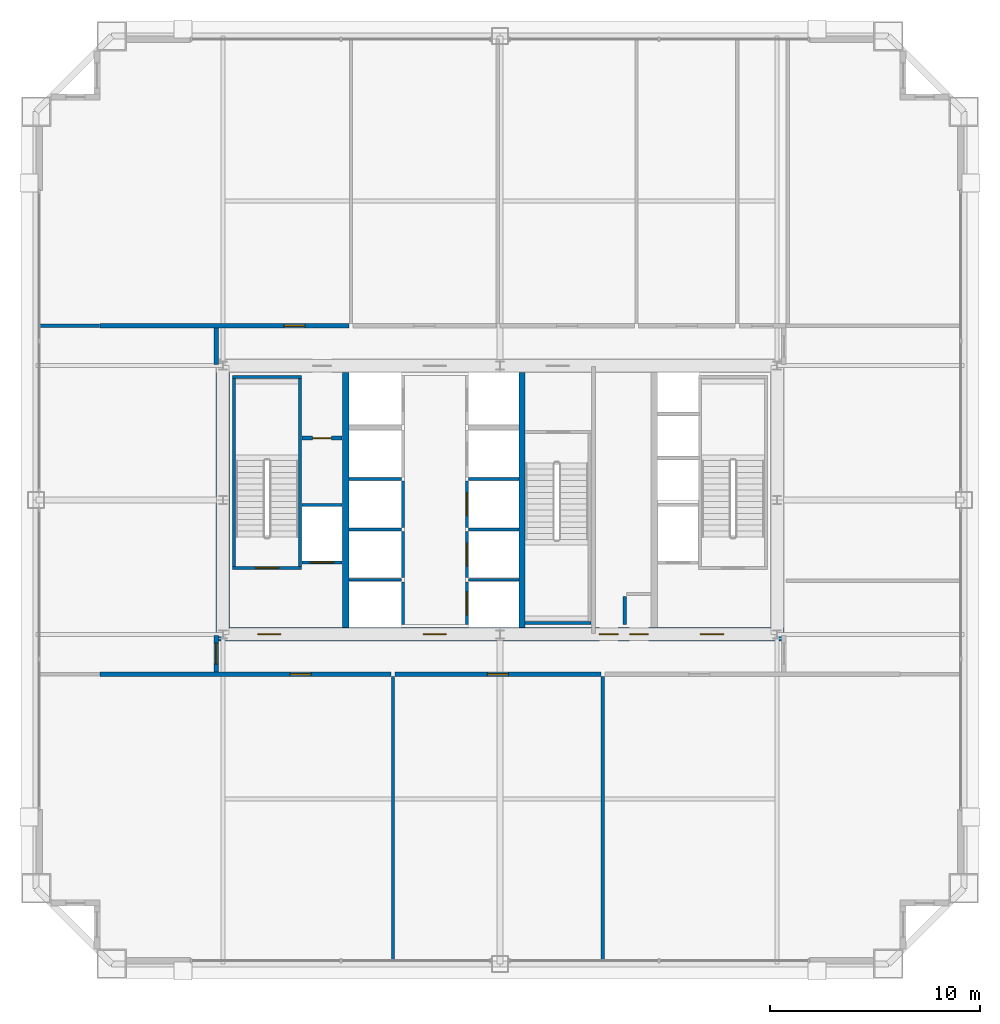
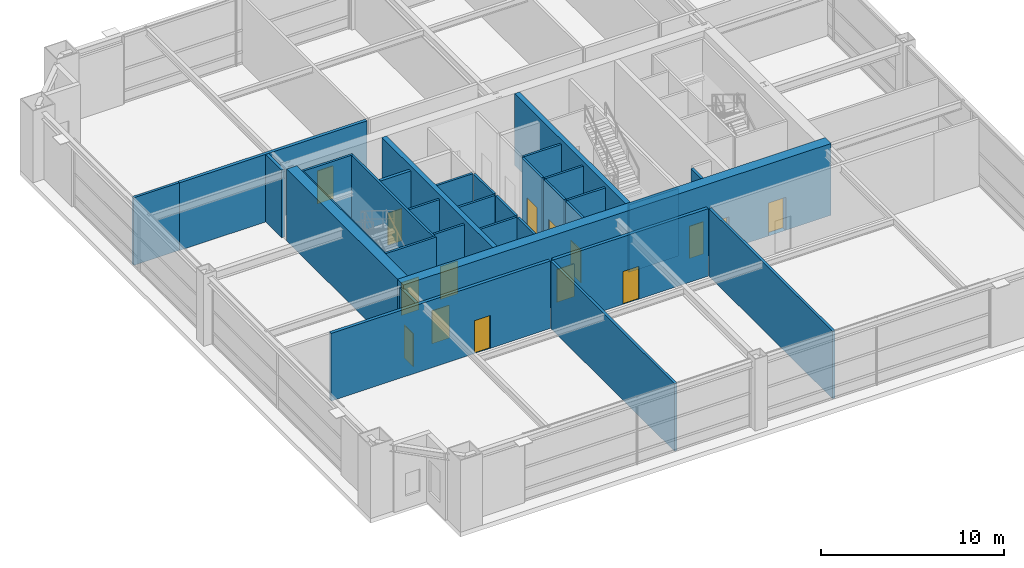
# One storey, part 31 of 34: 33 walls, 15 doors, 15 openings.
"""IFC4 building model written with IfcOpenShell, lengths in metres."""

from ifc_helpers import new_model, si_unit, direction, frame, frame_2d, origin, place, context, subcontext, project, spatial, rectangle, extrude, source, transform, mapped, material, layer, layer_set, type_object, element, fill, save


model = new_model("IFC4")

# Units and contexts
model_context = context("Model", 3, precision=1e-05, world=origin(), true_north=direction((0.0, 1.0)))
body_context = subcontext(model_context, "Body", "Model", "MODEL_VIEW")
ifc_project = project(units=[si_unit("LENGTHUNIT", "METRE"), si_unit("AREAUNIT", "SQUARE_METRE"), si_unit("VOLUMEUNIT", "CUBIC_METRE"), si_unit("PLANEANGLEUNIT", "RADIAN"), si_unit("MASSUNIT", "GRAM", prefix="KILO"), si_unit("THERMODYNAMICTEMPERATUREUNIT", "KELVIN"), si_unit("POWERUNIT", "WATT")], contexts=[model_context])

# Site, building, storey
site_placement = place(None, origin())
site = spatial("IfcSite", under=ifc_project, at=site_placement, CompositionType="ELEMENT")
building_placement = place(site_placement, origin())
building = spatial("IfcBuilding", under=site, at=building_placement, Name="Yuzanri Waterfront Tower", CompositionType="ELEMENT")
storey_placement = place(building_placement, frame((0.0, 0.0, 171.60009765625)))
storey = spatial("IfcBuildingStorey", under=building, at=storey_placement, Name="L45", CompositionType="ELEMENT", Elevation=171.60009765625)

# Wall, openings, doors
ifc_material_1 = material(Name="Concrete C50", Category="concrete")
ifc_layer_1 = layer(ifc_material_1, 0.64990234375)
ifc_layer_set_1 = layer_set([ifc_layer_1], Name="Concrete C50")
wall_type_1 = type_object("IfcWallType", Name="Concrete C50 Mid Zone Core Shear Wall 650", PredefinedType="SHEAR", material=ifc_layer_set_1)
wall_1_placement = place(storey_placement, frame((23.47509765625, 19.39990234375, 0.0), z_axis=(0.0, 0.0, 1.0), x_axis=(1.0, 0.0, 0.0)))
wall_1 = element("IfcWall", 1, at=wall_1_placement, inside=storey, type_object=wall_type_1, Name="L45 Core South Shear Wall", PredefinedType="SHEAR", context=body_context, shape_type="SweptSolid", body=[
    extrude(rectangle(XDim=27.0498046875, YDim=0.64990234375, at=frame_2d((13.52490234375, 0.0))), origin(), (0.0, 0.0, 1.0), 4.7998046875),
])
opening_1_placement = place(wall_1_placement, frame((1.97509765625, 0.0, 0.0)))
opening_1 = element("IfcOpeningElement", 2, at=opening_1_placement, cuts=wall_1, Name="Opening FD-1100", PredefinedType="OPENING", context=body_context, shape_type="SweptSolid", body=[
    extrude(rectangle(XDim=1.10009765625, YDim=2.199951171875, at=frame_2d((0.550048828125, 1.10009765625))), frame((0.0, 0.33984375, 0.0), z_axis=(0.0, -1.0, 0.0), x_axis=(1.0, 0.0, 0.0)), (0.0, 0.0, 1.0), 0.6796875),
])
opening_2_placement = place(wall_1_placement, frame((9.875, 0.0, 0.0)))
opening_2 = element("IfcOpeningElement", 3, at=opening_2_placement, cuts=wall_1, Name="Opening FD-1100", PredefinedType="OPENING", context=body_context, shape_type="SweptSolid", body=[
    extrude(rectangle(XDim=1.10009765625, YDim=2.199951171875, at=frame_2d((0.550048828125, 1.10009765625))), frame((0.0, 0.33984375, 0.0), z_axis=(0.0, -1.0, 0.0), x_axis=(1.0, 0.0, 0.0)), (0.0, 0.0, 1.0), 0.6796875),
])
opening_3_placement = place(wall_1_placement, frame((23.074951171875, 0.0, 0.0)))
opening_3 = element("IfcOpeningElement", 4, at=opening_3_placement, cuts=wall_1, Name="Opening FD-1100", PredefinedType="OPENING", context=body_context, shape_type="SweptSolid", body=[
    extrude(rectangle(XDim=1.10009765625, YDim=2.199951171875, at=frame_2d((0.550048828125, 1.10009765625))), frame((0.0, 0.33984375, 0.0), z_axis=(0.0, -1.0, 0.0), x_axis=(1.0, 0.0, 0.0)), (0.0, 0.0, 1.0), 0.6796875),
])
opening_4_placement = place(wall_1_placement, frame((19.695068359375, 0.0, 0.0)))
opening_4 = element("IfcOpeningElement", 5, at=opening_4_placement, cuts=wall_1, Name="Opening FD-0900", PredefinedType="OPENING", context=body_context, shape_type="SweptSolid", body=[
    extrude(rectangle(XDim=0.89990234375, YDim=2.14990234375, at=frame_2d((0.449951171875, 1.074951171875))), frame((0.0, 0.33984375, 0.0), z_axis=(0.0, -1.0, 0.0), x_axis=(1.0, 0.0, 0.0)), (0.0, 0.0, 1.0), 0.6796875),
])
opening_5_placement = place(wall_1_placement, frame((18.2548828125, 0.0, 0.0)))
opening_5 = element("IfcOpeningElement", 6, at=opening_5_placement, cuts=wall_1, Name="Opening FD-0900", PredefinedType="OPENING", context=body_context, shape_type="SweptSolid", body=[
    extrude(rectangle(XDim=0.89990234375, YDim=2.14990234375, at=frame_2d((0.449951171875, 1.074951171875))), frame((0.0, 0.33984375, 0.0), z_axis=(0.0, -1.0, 0.0), x_axis=(1.0, 0.0, 0.0)), (0.0, 0.0, 1.0), 0.6796875),
])
ifc_material_2 = material(Name="Painted Galvanized Fire Steel", Category="steel")
door_type_1 = type_object("IfcDoorType", Name="Smoke-Proof Stair and Lobby Fire Door 1100x2200", OperationType="NOTDEFINED", PredefinedType="DOOR", material=ifc_material_2)
shared_shape_1 = source(origin(), body_context, "Body", "SweptSolid", [
    extrude(rectangle(XDim=1.10009765625, YDim=2.199951171875, at=frame_2d((0.550048828125, 1.10009765625))), frame((0.0, 0.02490234375, 0.0), z_axis=(0.0, -1.0, 0.0), x_axis=(1.0, 0.0, 0.0)), (0.0, 0.0, 1.0), 0.050048828125),
])
door_1_placement = place(opening_1_placement, origin())
door_1 = element("IfcDoor", 7, at=door_1_placement, inside=storey, type_object=door_type_1, Name="L45 West Firefighting Lobby Door", OperationType="SINGLE_SWING_RIGHT", OverallHeight=2.199951171875, OverallWidth=1.10009765625, PredefinedType="DOOR", context=body_context, shape_type="MappedRepresentation", body=[
    mapped(shared_shape_1, transform((0.0, 0.0, 0.0), scale=1.0)),
])
fill(opening_1, door_1)
door_2_placement = place(opening_2_placement, origin())
door_2 = element("IfcDoor", 8, at=door_2_placement, inside=storey, type_object=door_type_1, Name="L45 Central Lift Lobby South Door", OperationType="SINGLE_SWING_LEFT", OverallHeight=2.199951171875, OverallWidth=1.10009765625, PredefinedType="DOOR", context=body_context, shape_type="MappedRepresentation", body=[
    mapped(shared_shape_1, transform((0.0, 0.0, 0.0), scale=1.0)),
])
fill(opening_2, door_2)
door_3_placement = place(opening_3_placement, origin())
door_3 = element("IfcDoor", 9, at=door_3_placement, inside=storey, type_object=door_type_1, Name="L45 East Firefighting Lobby Door", OperationType="SINGLE_SWING_RIGHT", OverallHeight=2.199951171875, OverallWidth=1.10009765625, PredefinedType="DOOR", context=body_context, shape_type="MappedRepresentation", body=[
    mapped(shared_shape_1, transform((0.0, 0.0, 0.0), scale=1.0)),
])
fill(opening_3, door_3)
ifc_material_3 = material(Name="Painted Galvanized Fire Steel", Category="steel")
door_type_2 = type_object("IfcDoorType", Name="Riser and Service Room Fire Door 900x2150", OperationType="NOTDEFINED", PredefinedType="DOOR", material=ifc_material_3)
shared_shape_2 = source(origin(), body_context, "Body", "SweptSolid", [
    extrude(rectangle(XDim=0.89990234375, YDim=2.14990234375, at=frame_2d((0.449951171875, 1.074951171875))), frame((0.0, 0.02490234375, 0.0), z_axis=(0.0, -1.0, 0.0), x_axis=(1.0, 0.0, 0.0)), (0.0, 0.0, 1.0), 0.050048828125),
])
door_4_placement = place(opening_4_placement, origin())
door_4 = element("IfcDoor", 10, at=door_4_placement, inside=storey, type_object=door_type_2, Name="L45 East Wet Riser Door", OperationType="SINGLE_SWING_LEFT", OverallHeight=2.14990234375, OverallWidth=0.89990234375, PredefinedType="DOOR", context=body_context, shape_type="MappedRepresentation", body=[
    mapped(shared_shape_2, transform((0.0, 0.0, 0.0), scale=1.0)),
])
fill(opening_4, door_4)
door_5_placement = place(opening_5_placement, origin())
door_5 = element("IfcDoor", 11, at=door_5_placement, inside=storey, type_object=door_type_2, Name="L45 Cleaners Store Room", OperationType="SINGLE_SWING_RIGHT", OverallHeight=2.14990234375, OverallWidth=0.89990234375, PredefinedType="DOOR", context=body_context, shape_type="MappedRepresentation", body=[
    mapped(shared_shape_2, transform((0.0, 0.0, 0.0), scale=1.0)),
])
fill(opening_5, door_5)

# Wall, opening, door
ifc_material_4 = material(Name="Concrete C40", Category="concrete")
ifc_layer_2 = layer(ifc_material_4, 0.139892578125)
ifc_layer_set_2 = layer_set([ifc_layer_2], Name="Concrete C40")
wall_type_2 = type_object("IfcWallType", Name="Core Stair Liner and Hoistway Shaft Wall 140", PredefinedType="SOLIDWALL", material=ifc_layer_set_2)
wall_2_placement = place(storey_placement, frame((27.56005859375, 22.830078125, 0.0), z_axis=(0.0, 0.0, 1.0), x_axis=(1.0, 0.0, 0.0)))
wall_2 = element("IfcWall", 12, at=wall_2_placement, inside=storey, type_object=wall_type_2, Name="L45 Lift FL-01 Front Shaft Wall", PredefinedType="SOLIDWALL", context=body_context, shape_type="SweptSolid", body=[
    extrude(rectangle(XDim=1.919921875, YDim=0.139892578125, at=frame_2d((0.9599609375, 0.0))), origin(), (0.0, 0.0, 1.0), 4.52001953125),
])
opening_6_placement = place(wall_2_placement, frame((0.409912109375, 0.0, 0.0)))
opening_6 = element("IfcOpeningElement", 13, at=opening_6_placement, cuts=wall_2, Name="Opening LD-FL-01", PredefinedType="OPENING", context=body_context, shape_type="SweptSolid", body=[
    extrude(rectangle(XDim=1.10009765625, YDim=2.199951171875, at=frame_2d((0.550048828125, 1.10009765625))), frame((0.0, 0.0849609375, 0.0), z_axis=(0.0, -1.0, 0.0), x_axis=(1.0, 0.0, 0.0)), (0.0, 0.0, 1.0), 0.169677734375),
])
ifc_material_5 = material(Name="Brushed Bronze and Stainless Steel Cab", Category="steel")
door_type_3 = type_object("IfcDoorType", Name="Center-Parting Bronze Lift Landing Sliding Door 1100x2200", OperationType="NOTDEFINED", PredefinedType="DOOR", material=ifc_material_5)
shared_shape_3 = source(origin(), body_context, "Body", "SweptSolid", [
    extrude(rectangle(XDim=1.10009765625, YDim=2.199951171875, at=frame_2d((0.550048828125, 1.10009765625))), frame((0.0, 0.02490234375, 0.0), z_axis=(0.0, -1.0, 0.0), x_axis=(1.0, 0.0, 0.0)), (0.0, 0.0, 1.0), 0.050048828125),
])
door_6_placement = place(opening_6_placement, origin())
door_6 = element("IfcDoor", 14, at=door_6_placement, inside=storey, type_object=door_type_3, Name="L45 FL-01 Lift Landing Sliding Door", OperationType="SLIDING_TO_LEFT", OverallHeight=2.199951171875, OverallWidth=1.10009765625, PredefinedType="DOOR", context=body_context, shape_type="MappedRepresentation", body=[
    mapped(shared_shape_3, transform((0.0, 0.0, 0.0), scale=1.0)),
])
fill(opening_6, door_6)

wall_3_placement = place(storey_placement, frame((35.429931640625, 19.860107421875, 0.0), z_axis=(0.0, 0.0, 1.0), x_axis=(0.0, 1.0, 0.0)))
wall_3 = element("IfcWall", 15, at=wall_3_placement, inside=storey, type_object=wall_type_2, Name="L45 Lift PL-05 Front Shaft Wall", PredefinedType="SOLIDWALL", context=body_context, shape_type="SweptSolid", body=[
    extrude(rectangle(XDim=2.039794921875, YDim=0.139892578125, at=frame_2d((1.02001953125, 0.0))), origin(), (0.0, 0.0, 1.0), 4.52001953125),
])
opening_7_placement = place(wall_3_placement, frame((0.469970703125, 0.0, 0.0)))
opening_7 = element("IfcOpeningElement", 16, at=opening_7_placement, cuts=wall_3, Name="Opening LD-PL-05", PredefinedType="OPENING", context=body_context, shape_type="SweptSolid", body=[
    extrude(rectangle(XDim=1.10009765625, YDim=2.199951171875, at=frame_2d((0.550048828125, 1.10009765625))), frame((0.0, 0.0849609375, 0.0), z_axis=(0.0, -1.0, 0.0), x_axis=(1.0, 0.0, 0.0)), (0.0, 0.0, 1.0), 0.169677734375),
])
door_7_placement = place(opening_7_placement, origin())
door_7 = element("IfcDoor", 17, at=door_7_placement, inside=storey, type_object=door_type_3, Name="L45 PL-05 Lift Landing Sliding Door", OperationType="SLIDING_TO_RIGHT", OverallHeight=2.199951171875, OverallWidth=1.10009765625, PredefinedType="DOOR", context=body_context, shape_type="MappedRepresentation", body=[
    mapped(shared_shape_3, transform((0.0, 0.0, 0.0), scale=1.0)),
])
fill(opening_7, door_7)

wall_4_placement = place(storey_placement, frame((35.429931640625, 22.10009765625, 0.0), z_axis=(0.0, 0.0, 1.0), x_axis=(0.0, 1.0, 0.0)))
wall_4 = element("IfcWall", 18, at=wall_4_placement, inside=storey, type_object=wall_type_2, Name="L45 Lift PL-06 Front Shaft Wall", PredefinedType="SOLIDWALL", context=body_context, shape_type="SweptSolid", body=[
    extrude(rectangle(XDim=2.199951171875, YDim=0.139892578125, at=frame_2d((1.10009765625, 0.0))), origin(), (0.0, 0.0, 1.0), 4.52001953125),
])
opening_8_placement = place(wall_4_placement, frame((0.550048828125, 0.0, 0.0)))
opening_8 = element("IfcOpeningElement", 19, at=opening_8_placement, cuts=wall_4, Name="Opening LD-PL-06", PredefinedType="OPENING", context=body_context, shape_type="SweptSolid", body=[
    extrude(rectangle(XDim=1.10009765625, YDim=2.199951171875, at=frame_2d((0.550048828125, 1.10009765625))), frame((0.0, 0.0849609375, 0.0), z_axis=(0.0, -1.0, 0.0), x_axis=(1.0, 0.0, 0.0)), (0.0, 0.0, 1.0), 0.169677734375),
])
door_8_placement = place(opening_8_placement, origin())
door_8 = element("IfcDoor", 20, at=door_8_placement, inside=storey, type_object=door_type_3, Name="L45 PL-06 Lift Landing Sliding Door", OperationType="SLIDING_TO_LEFT", OverallHeight=2.199951171875, OverallWidth=1.10009765625, PredefinedType="DOOR", context=body_context, shape_type="MappedRepresentation", body=[
    mapped(shared_shape_3, transform((0.0, 0.0, 0.0), scale=1.0)),
])
fill(opening_8, door_8)

wall_5_placement = place(storey_placement, frame((35.429931640625, 24.5, 0.0), z_axis=(0.0, 0.0, 1.0), x_axis=(0.0, 1.0, 0.0)))
wall_5 = element("IfcWall", 21, at=wall_5_placement, inside=storey, type_object=wall_type_2, Name="L45 Lift PL-07 Front Shaft Wall", PredefinedType="SOLIDWALL", context=body_context, shape_type="SweptSolid", body=[
    extrude(rectangle(XDim=2.199951171875, YDim=0.139892578125, at=frame_2d((1.10009765625, 0.0))), origin(), (0.0, 0.0, 1.0), 4.52001953125),
])
opening_9_placement = place(wall_5_placement, frame((0.550048828125, 0.0, 0.0)))
opening_9 = element("IfcOpeningElement", 22, at=opening_9_placement, cuts=wall_5, Name="Opening LD-PL-07", PredefinedType="OPENING", context=body_context, shape_type="SweptSolid", body=[
    extrude(rectangle(XDim=1.10009765625, YDim=2.199951171875, at=frame_2d((0.550048828125, 1.10009765625))), frame((0.0, 0.0849609375, 0.0), z_axis=(0.0, -1.0, 0.0), x_axis=(1.0, 0.0, 0.0)), (0.0, 0.0, 1.0), 0.169677734375),
])
door_9_placement = place(opening_9_placement, origin())
door_9 = element("IfcDoor", 23, at=door_9_placement, inside=storey, type_object=door_type_3, Name="L45 PL-07 Lift Landing Sliding Door", OperationType="SLIDING_TO_RIGHT", OverallHeight=2.199951171875, OverallWidth=1.10009765625, PredefinedType="DOOR", context=body_context, shape_type="MappedRepresentation", body=[
    mapped(shared_shape_3, transform((0.0, 0.0, 0.0), scale=1.0)),
])
fill(opening_9, door_9)

wall_6_placement = place(storey_placement, frame((24.260009765625, 22.570068359375, 0.0), z_axis=(0.0, 0.0, 1.0), x_axis=(1.0, 0.0, 0.0)))
wall_6 = element("IfcWall", 24, at=wall_6_placement, inside=storey, type_object=wall_type_2, Name="L45 Shaft Wall STW-L45-ST-01-S", PredefinedType="SOLIDWALL", context=body_context, shape_type="SweptSolid", body=[
    extrude(rectangle(XDim=3.280029296875, YDim=0.139892578125, at=frame_2d((1.64013671875, 0.0))), origin(), (0.0, 0.0, 1.0), 4.52001953125),
])
opening_10_placement = place(wall_6_placement, frame((1.090087890625, 0.0, 0.0)))
opening_10 = element("IfcOpeningElement", 25, at=opening_10_placement, cuts=wall_6, Name="Opening FD-1100", PredefinedType="OPENING", context=body_context, shape_type="SweptSolid", body=[
    extrude(rectangle(XDim=1.10009765625, YDim=2.199951171875, at=frame_2d((0.550048828125, 1.10009765625))), frame((0.0, 0.0849609375, 0.0), z_axis=(0.0, -1.0, 0.0), x_axis=(1.0, 0.0, 0.0)), (0.0, 0.0, 1.0), 0.169677734375),
])
door_10_placement = place(opening_10_placement, origin())
door_10 = element("IfcDoor", 26, at=door_10_placement, inside=storey, type_object=door_type_1, Name="L45 Stair ST-01 Fire Door", OperationType="SINGLE_SWING_LEFT", OverallHeight=2.199951171875, OverallWidth=1.10009765625, PredefinedType="DOOR", context=body_context, shape_type="MappedRepresentation", body=[
    mapped(shared_shape_1, transform((0.0, 0.0, 0.0), scale=1.0)),
])
fill(opening_10, door_10)

ifc_material_6 = material(Name="Autoclaved Aerated Concrete Blockwork", Category="masonry")
ifc_layer_3 = layer(ifc_material_6, 0.199951171875)
ifc_layer_set_3 = layer_set([ifc_layer_3], Name="Autoclaved Aerated Concrete Blockwork")
wall_type_3 = type_object("IfcWallType", Name="Corridor and Unit Party Fire Wall 200", PredefinedType="PARTITIONING", material=ifc_layer_set_3)
wall_7_placement = place(storey_placement, frame((27.56005859375, 28.75, 0.0), z_axis=(0.0, 0.0, 1.0), x_axis=(1.0, 0.0, 0.0)))
wall_7 = element("IfcWall", 27, at=wall_7_placement, inside=storey, type_object=wall_type_3, Name="L45 Partition CRW-L45-ERTR", PredefinedType="PARTITIONING", context=body_context, shape_type="SweptSolid", body=[
    extrude(rectangle(XDim=1.919921875, YDim=0.199951171875, at=frame_2d((0.9599609375, 0.0))), origin(), (0.0, 0.0, 1.0), 4.52001953125),
])
opening_11_placement = place(wall_7_placement, frame((0.510009765625, 0.0, 0.0)))
opening_11 = element("IfcOpeningElement", 28, at=opening_11_placement, cuts=wall_7, Name="Opening FD-0900", PredefinedType="OPENING", context=body_context, shape_type="SweptSolid", body=[
    extrude(rectangle(XDim=0.89990234375, YDim=2.14990234375, at=frame_2d((0.449951171875, 1.074951171875))), frame((0.0, 0.11474609375, 0.0), z_axis=(0.0, -1.0, 0.0), x_axis=(1.0, 0.0, 0.0)), (0.0, 0.0, 1.0), 0.229736328125),
])
door_11_placement = place(opening_11_placement, origin())
door_11 = element("IfcDoor", 29, at=door_11_placement, inside=storey, type_object=door_type_2, Name="L45 Electrical Riser Door", OperationType="SINGLE_SWING_RIGHT", OverallHeight=2.14990234375, OverallWidth=0.89990234375, PredefinedType="DOOR", context=body_context, shape_type="MappedRepresentation", body=[
    mapped(shared_shape_2, transform((0.0, 0.0, 0.0), scale=1.0)),
])
fill(opening_11, door_11)

wall_8_placement = place(storey_placement, frame((17.93994140625, 17.5, 0.0), z_axis=(0.0, 0.0, 1.0), x_axis=(1.0, 0.0, 0.0)))
wall_8 = element("IfcWall", 30, at=wall_8_placement, inside=storey, type_object=wall_type_3, Name="L45 Partition SLW-L45-014-N", PredefinedType="PARTITIONING", context=body_context, shape_type="SweptSolid", body=[
    extrude(rectangle(XDim=13.860107421875, YDim=0.199951171875, at=frame_2d((6.93017578125, 0.0))), origin(), (0.0, 0.0, 1.0), 4.52001953125),
])
opening_12_placement = place(wall_8_placement, frame((9.06005859375, 0.0, 0.0)))
opening_12 = element("IfcOpeningElement", 31, at=opening_12_placement, cuts=wall_8, Name="Opening FD-1000", PredefinedType="OPENING", context=body_context, shape_type="SweptSolid", body=[
    extrude(rectangle(XDim=1.0, YDim=2.199951171875, at=frame_2d((0.5, 1.10009765625))), frame((0.0, 0.11474609375, 0.0), z_axis=(0.0, -1.0, 0.0), x_axis=(1.0, 0.0, 0.0)), (0.0, 0.0, 1.0), 0.229736328125),
])
ifc_material_7 = material(Name="Engineered Oak Fire-Rated Timber", Category="wood")
door_type_4 = type_object("IfcDoorType", Name="Guestroom and Apartment Entrance Fire Door 1000x2200", OperationType="NOTDEFINED", PredefinedType="DOOR", material=ifc_material_7)
shared_shape_4 = source(origin(), body_context, "Body", "SweptSolid", [
    extrude(rectangle(XDim=1.0, YDim=2.199951171875, at=frame_2d((0.5, 1.10009765625))), frame((0.0, 0.02490234375, 0.0), z_axis=(0.0, -1.0, 0.0), x_axis=(1.0, 0.0, 0.0)), (0.0, 0.0, 1.0), 0.050048828125),
])
door_12_placement = place(opening_12_placement, origin())
door_12 = element("IfcDoor", 32, at=door_12_placement, inside=storey, type_object=door_type_4, Name="L45 Executive Sky Club Hall", OperationType="SINGLE_SWING_LEFT", OverallHeight=2.199951171875, OverallWidth=1.0, PredefinedType="DOOR", context=body_context, shape_type="MappedRepresentation", body=[
    mapped(shared_shape_4, transform((0.0, 0.0, 0.0), scale=1.0)),
])
fill(opening_12, door_12)

wall_9_placement = place(storey_placement, frame((32.0, 17.5, 0.0), z_axis=(0.0, 0.0, 1.0), x_axis=(1.0, 0.0, 0.0)))
wall_9 = element("IfcWall", 33, at=wall_9_placement, inside=storey, type_object=wall_type_3, Name="L45 Partition SLW-L45-015-N", PredefinedType="PARTITIONING", context=body_context, shape_type="SweptSolid", body=[
    extrude(rectangle(XDim=9.800048828125, YDim=0.199951171875, at=frame_2d((4.89990234375, 0.0))), origin(), (0.0, 0.0, 1.0), 4.52001953125),
])
opening_13_placement = place(wall_9_placement, frame((4.39990234375, 0.0, 0.0)))
opening_13 = element("IfcOpeningElement", 34, at=opening_13_placement, cuts=wall_9, Name="Opening FD-1000", PredefinedType="OPENING", context=body_context, shape_type="SweptSolid", body=[
    extrude(rectangle(XDim=1.0, YDim=2.199951171875, at=frame_2d((0.5, 1.10009765625))), frame((0.0, 0.11474609375, 0.0), z_axis=(0.0, -1.0, 0.0), x_axis=(1.0, 0.0, 0.0)), (0.0, 0.0, 1.0), 0.229736328125),
])
door_13_placement = place(opening_13_placement, origin())
door_13 = element("IfcDoor", 35, at=door_13_placement, inside=storey, type_object=door_type_4, Name="L45 Sky Boardroom 1", OperationType="SINGLE_SWING_RIGHT", OverallHeight=2.199951171875, OverallWidth=1.0, PredefinedType="DOOR", context=body_context, shape_type="MappedRepresentation", body=[
    mapped(shared_shape_4, transform((0.0, 0.0, 0.0), scale=1.0)),
])
fill(opening_13, door_13)

wall_10_placement = place(storey_placement, frame((23.47998046875, 17.610107421875, 0.0), z_axis=(0.0, 0.0, 1.0), x_axis=(0.0, 1.0, 0.0)))
wall_10 = element("IfcWall", 36, at=wall_10_placement, inside=storey, type_object=wall_type_3, Name="L45 Partition SLW-L45-017-EC", PredefinedType="PARTITIONING", context=body_context, shape_type="SweptSolid", body=[
    extrude(rectangle(XDim=1.739990234375, YDim=0.199951171875, at=frame_2d((0.8701171875, 0.0))), origin(), (0.0, 0.0, 1.0), 4.52001953125),
])
opening_14_placement = place(wall_10_placement, frame((0.3701171875, 0.0, 0.0)))
opening_14 = element("IfcOpeningElement", 37, at=opening_14_placement, cuts=wall_10, Name="Opening FD-1000", PredefinedType="OPENING", context=body_context, shape_type="SweptSolid", body=[
    extrude(rectangle(XDim=1.0, YDim=2.199951171875, at=frame_2d((0.5, 1.10009765625))), frame((0.0, 0.11474609375, 0.0), z_axis=(0.0, -1.0, 0.0), x_axis=(1.0, 0.0, 0.0)), (0.0, 0.0, 1.0), 0.229736328125),
])
door_14_placement = place(opening_14_placement, origin())
door_14 = element("IfcDoor", 38, at=door_14_placement, inside=storey, type_object=door_type_4, Name="L45 Private Salon Dining Room", OperationType="SINGLE_SWING_RIGHT", OverallHeight=2.199951171875, OverallWidth=1.0, PredefinedType="DOOR", context=body_context, shape_type="MappedRepresentation", body=[
    mapped(shared_shape_4, transform((0.0, 0.0, 0.0), scale=1.0)),
])
fill(opening_14, door_14)

wall_11_placement = place(storey_placement, frame((17.93994140625, 34.10009765625, 0.0), z_axis=(0.0, 0.0, 1.0), x_axis=(1.0, 0.0, 0.0)))
wall_11 = element("IfcWall", 39, at=wall_11_placement, inside=storey, type_object=wall_type_3, Name="L45 Partition SLW-L45-020-S", PredefinedType="PARTITIONING", context=body_context, shape_type="SweptSolid", body=[
    extrude(rectangle(XDim=11.860107421875, YDim=0.199951171875, at=frame_2d((5.93017578125, 0.0))), origin(), (0.0, 0.0, 1.0), 4.52001953125),
])
opening_15_placement = place(wall_11_placement, frame((8.760009765625, 0.0, 0.0)))
opening_15 = element("IfcOpeningElement", 40, at=opening_15_placement, cuts=wall_11, Name="Opening FD-1000", PredefinedType="OPENING", context=body_context, shape_type="SweptSolid", body=[
    extrude(rectangle(XDim=1.0, YDim=2.199951171875, at=frame_2d((0.5, 1.10009765625))), frame((0.0, 0.11474609375, 0.0), z_axis=(0.0, -1.0, 0.0), x_axis=(1.0, 0.0, 0.0)), (0.0, 0.0, 1.0), 0.229736328125),
])
door_15_placement = place(opening_15_placement, origin())
door_15 = element("IfcDoor", 41, at=door_15_placement, inside=storey, type_object=door_type_4, Name="L45 Sommelier Wine Store", OperationType="SINGLE_SWING_LEFT", OverallHeight=2.199951171875, OverallWidth=1.0, PredefinedType="DOOR", context=body_context, shape_type="MappedRepresentation", body=[
    mapped(shared_shape_4, transform((0.0, 0.0, 0.0), scale=1.0)),
])
fill(opening_15, door_15)

# Walls
shared_shape_5 = source(origin(), body_context, "Body", "SweptSolid", [
    extrude(rectangle(XDim=12.14990234375, YDim=0.64990234375, at=frame_2d((6.074951171875, 0.0))), origin(), (0.0, 0.0, 1.0), 4.7998046875),
])
wall_12_placement = place(storey_placement, frame((23.800048828125, 19.72509765625, 0.0), z_axis=(0.0, 0.0, 1.0), x_axis=(0.0, 1.0, 0.0)))
element("IfcWall", 42, at=wall_12_placement, inside=storey, type_object=wall_type_1, Name="L45 Core West Shear Wall", PredefinedType="SHEAR", context=body_context, shape_type="MappedRepresentation", body=[
    mapped(shared_shape_5, transform((0.0, 0.0, 0.0), scale=1.0)),
])
ifc_material_8 = material(Name="Concrete C50", Category="concrete")
ifc_layer_4 = layer(ifc_material_8, 0.300048828125)
ifc_layer_set_4 = layer_set([ifc_layer_4], Name="Concrete C50")
wall_type_4 = type_object("IfcWallType", Name="Concrete C50 Internal Core Shaft Structural Wall 300", PredefinedType="SOLIDWALL", material=ifc_layer_set_4)
shared_shape_6 = source(origin(), body_context, "Body", "SweptSolid", [
    extrude(rectangle(XDim=12.14990234375, YDim=0.300048828125, at=frame_2d((6.074951171875, 0.0))), origin(), (0.0, 0.0, 1.0), 4.7998046875),
])
for number, where, z_axis, x_axis, name in (
    (43, (29.64990234375, 19.72509765625, 0.0), (0.0, 0.0, 1.0), (0.0, 1.0, 0.0), "L45 Core Internal Structural Web Wall 1"),
    (44, (38.050048828125, 19.72509765625, 0.0), (0.0, 0.0, 1.0), (0.0, 1.0, 0.0), "L45 Core Internal Structural Web Wall 2"),
):
    element("IfcWall", number, at=place(storey_placement, frame(where, z_axis=z_axis, x_axis=x_axis)), inside=storey, type_object=wall_type_4, Name=name, PredefinedType="SOLIDWALL", context=body_context, shape_type="MappedRepresentation", body=[
        mapped(shared_shape_6, transform((0.0, 0.0, 0.0), scale=1.0)),
    ])
shared_shape_7 = source(origin(), body_context, "Body", "SweptSolid", [
    extrude(rectangle(XDim=1.919921875, YDim=0.139892578125, at=frame_2d((0.9599609375, 0.0))), origin(), (0.0, 0.0, 1.0), 4.52001953125),
])
wall_13_placement = place(storey_placement, frame((27.56005859375, 25.570068359375, 0.0), z_axis=(0.0, 0.0, 1.0), x_axis=(1.0, 0.0, 0.0)))
element("IfcWall", 45, at=wall_13_placement, inside=storey, type_object=wall_type_2, Name="L45 Lift FL-01 Back Shaft Wall", PredefinedType="SOLIDWALL", context=body_context, shape_type="MappedRepresentation", body=[
    mapped(shared_shape_7, transform((0.0, 0.0, 0.0), scale=1.0)),
])
shared_shape_8 = source(origin(), body_context, "Body", "SweptSolid", [
    extrude(rectangle(XDim=2.5, YDim=0.139892578125, at=frame_2d((1.25, 0.0))), origin(), (0.0, 0.0, 1.0), 4.52001953125),
])
for number, where, z_axis, x_axis, name in (
    (46, (29.800048828125, 22.0, 0.0), (0.0, 0.0, 1.0), (1.0, 0.0, 0.0), "L45 Lift PL-01 Divider Wall"),
    (47, (29.800048828125, 24.39990234375, 0.0), (0.0, 0.0, 1.0), (1.0, 0.0, 0.0), "L45 Lift PL-02 Divider Wall"),
    (48, (29.800048828125, 26.800048828125, 0.0), (0.0, 0.0, 1.0), (1.0, 0.0, 0.0), "L45 Lift PL-03 Divider Wall"),
):
    element("IfcWall", number, at=place(storey_placement, frame(where, z_axis=z_axis, x_axis=x_axis)), inside=storey, type_object=wall_type_2, Name=name, PredefinedType="SOLIDWALL", context=body_context, shape_type="MappedRepresentation", body=[
        mapped(shared_shape_8, transform((0.0, 0.0, 0.0), scale=1.0)),
    ])
shared_shape_9 = source(origin(), body_context, "Body", "SweptSolid", [
    extrude(rectangle(XDim=2.039794921875, YDim=0.139892578125, at=frame_2d((1.02001953125, 0.0))), origin(), (0.0, 0.0, 1.0), 4.52001953125),
])
wall_14_placement = place(storey_placement, frame((32.3701171875, 19.860107421875, 0.0), z_axis=(0.0, 0.0, 1.0), x_axis=(0.0, 1.0, 0.0)))
element("IfcWall", 49, at=wall_14_placement, inside=storey, type_object=wall_type_2, Name="L45 Lift PL-01 Front Shaft Wall", PredefinedType="SOLIDWALL", context=body_context, shape_type="MappedRepresentation", body=[
    mapped(shared_shape_9, transform((0.0, 0.0, 0.0), scale=1.0)),
])
shared_shape_10 = source(origin(), body_context, "Body", "SweptSolid", [
    extrude(rectangle(XDim=2.199951171875, YDim=0.139892578125, at=frame_2d((1.10009765625, 0.0))), origin(), (0.0, 0.0, 1.0), 4.52001953125),
])
for number, where, z_axis, x_axis, name in (
    (50, (32.3701171875, 22.10009765625, 0.0), (0.0, 0.0, 1.0), (0.0, 1.0, 0.0), "L45 Lift PL-02 Front Shaft Wall"),
    (51, (32.3701171875, 24.5, 0.0), (0.0, 0.0, 1.0), (0.0, 1.0, 0.0), "L45 Lift PL-03 Front Shaft Wall"),
):
    element("IfcWall", number, at=place(storey_placement, frame(where, z_axis=z_axis, x_axis=x_axis)), inside=storey, type_object=wall_type_2, Name=name, PredefinedType="SOLIDWALL", context=body_context, shape_type="MappedRepresentation", body=[
        mapped(shared_shape_10, transform((0.0, 0.0, 0.0), scale=1.0)),
    ])
shared_shape_11 = source(origin(), body_context, "Body", "SweptSolid", [
    extrude(rectangle(XDim=2.39990234375, YDim=0.139892578125, at=frame_2d((1.199951171875, 0.0))), origin(), (0.0, 0.0, 1.0), 4.52001953125),
])
for number, where, z_axis, x_axis, name in (
    (52, (35.5, 22.0, 0.0), (0.0, 0.0, 1.0), (1.0, 0.0, 0.0), "L45 Lift PL-05 Divider Wall"),
    (53, (35.5, 24.39990234375, 0.0), (0.0, 0.0, 1.0), (1.0, 0.0, 0.0), "L45 Lift PL-06 Divider Wall"),
    (54, (35.5, 26.800048828125, 0.0), (0.0, 0.0, 1.0), (1.0, 0.0, 0.0), "L45 Lift PL-07 Divider Wall"),
):
    element("IfcWall", number, at=place(storey_placement, frame(where, z_axis=z_axis, x_axis=x_axis)), inside=storey, type_object=wall_type_2, Name=name, PredefinedType="SOLIDWALL", context=body_context, shape_type="MappedRepresentation", body=[
        mapped(shared_shape_11, transform((0.0, 0.0, 0.0), scale=1.0)),
    ])
shared_shape_12 = source(origin(), body_context, "Body", "SweptSolid", [
    extrude(rectangle(XDim=3.280029296875, YDim=0.139892578125, at=frame_2d((1.64013671875, 0.0))), origin(), (0.0, 0.0, 1.0), 4.52001953125),
])
wall_15_placement = place(storey_placement, frame((24.260009765625, 31.64990234375, 0.0), z_axis=(0.0, 0.0, 1.0), x_axis=(1.0, 0.0, 0.0)))
element("IfcWall", 55, at=wall_15_placement, inside=storey, type_object=wall_type_2, Name="L45 Stair ST-01 North Shaft Wall", PredefinedType="SOLIDWALL", context=body_context, shape_type="MappedRepresentation", body=[
    mapped(shared_shape_12, transform((0.0, 0.0, 0.0), scale=1.0)),
])
shared_shape_13 = source(origin(), body_context, "Body", "SweptSolid", [
    extrude(rectangle(XDim=8.940185546875, YDim=0.139892578125, at=frame_2d((4.47021484375, 0.0))), origin(), (0.0, 0.0, 1.0), 4.52001953125),
])
for number, where, z_axis, x_axis, name in (
    (56, (24.330078125, 22.639892578125, 0.0), (0.0, 0.0, 1.0), (0.0, 1.0, 0.0), "L45 Stair ST-01 West Shaft Wall"),
    (57, (27.469970703125, 22.639892578125, 0.0), (0.0, 0.0, 1.0), (0.0, 1.0, 0.0), "L45 Stair ST-01 East Shaft Wall"),
):
    element("IfcWall", number, at=place(storey_placement, frame(where, z_axis=z_axis, x_axis=x_axis)), inside=storey, type_object=wall_type_2, Name=name, PredefinedType="SOLIDWALL", context=body_context, shape_type="MappedRepresentation", body=[
        mapped(shared_shape_13, transform((0.0, 0.0, 0.0), scale=1.0)),
    ])
shared_shape_14 = source(origin(), body_context, "Body", "SweptSolid", [
    extrude(rectangle(XDim=3.14013671875, YDim=0.139892578125, at=frame_2d((1.570068359375, 0.0))), origin(), (0.0, 0.0, 1.0), 4.52001953125),
])
wall_16_placement = place(storey_placement, frame((38.199951171875, 19.949951171875, 0.0), z_axis=(0.0, 0.0, 1.0), x_axis=(1.0, 0.0, 0.0)))
element("IfcWall", 58, at=wall_16_placement, inside=storey, type_object=wall_type_2, Name="L45 Stair ST-03 South Shaft Wall", PredefinedType="SOLIDWALL", context=body_context, shape_type="MappedRepresentation", body=[
    mapped(shared_shape_14, transform((0.0, 0.0, 0.0), scale=1.0)),
])
ifc_material_9 = material(Name="Gypsum Fireboard Acoustic Stud Wall", Category="gypsum")
ifc_layer_5 = layer(ifc_material_9, 0.159912109375)
ifc_layer_set_5 = layer_set([ifc_layer_5], Name="Gypsum Fireboard Acoustic Stud Wall")
wall_type_5 = type_object("IfcWallType", Name="Acoustic Suite Demising Partition 160", PredefinedType="PARTITIONING", material=ifc_layer_set_5)
shared_shape_15 = source(origin(), body_context, "Body", "SweptSolid", [
    extrude(rectangle(XDim=1.33984375, YDim=0.159912109375, at=frame_2d((0.669921875, 0.0))), origin(), (0.0, 0.0, 1.0), 4.52001953125),
])
wall_17_placement = place(storey_placement, frame((42.949951171875, 19.860107421875, 0.0), z_axis=(0.0, 0.0, 1.0), x_axis=(0.0, 1.0, 0.0)))
element("IfcWall", 59, at=wall_17_placement, inside=storey, type_object=wall_type_5, Name="L45 East Wet Riser West Wall", PredefinedType="PARTITIONING", context=body_context, shape_type="MappedRepresentation", body=[
    mapped(shared_shape_15, transform((0.0, 0.0, 0.0), scale=1.0)),
])
shared_shape_16 = source(origin(), body_context, "Body", "SweptSolid", [
    extrude(rectangle(XDim=13.539794921875, YDim=0.159912109375, at=frame_2d((6.77001953125, 0.0))), origin(), (0.0, 0.0, 1.0), 4.52001953125),
])
for number, where, z_axis, x_axis, name in (
    (60, (31.89990234375, 3.85009765625, 0.0), (0.0, 0.0, 1.0), (0.0, 1.0, 0.0), "L45-014 Demising Wall"),
    (61, (41.89990234375, 3.85009765625, 0.0), (0.0, 0.0, 1.0), (0.0, 1.0, 0.0), "L45-015 Demising Wall"),
):
    element("IfcWall", number, at=place(storey_placement, frame(where, z_axis=z_axis, x_axis=x_axis)), inside=storey, type_object=wall_type_5, Name=name, PredefinedType="PARTITIONING", context=body_context, shape_type="MappedRepresentation", body=[
        mapped(shared_shape_16, transform((0.0, 0.0, 0.0), scale=1.0)),
    ])
shared_shape_17 = source(origin(), body_context, "Body", "SweptSolid", [
    extrude(rectangle(XDim=1.739990234375, YDim=0.199951171875, at=frame_2d((0.8701171875, 0.0))), origin(), (0.0, 0.0, 1.0), 4.52001953125),
])
wall_18_placement = place(storey_placement, frame((23.47998046875, 32.25, 0.0), z_axis=(0.0, 0.0, 1.0), x_axis=(0.0, 1.0, 0.0)))
element("IfcWall", 62, at=wall_18_placement, inside=storey, type_object=wall_type_3, Name="L45-017 North Gallery Closure", PredefinedType="PARTITIONING", context=body_context, shape_type="MappedRepresentation", body=[
    mapped(shared_shape_17, transform((0.0, 0.0, 0.0), scale=1.0)),
])
shared_shape_18 = source(origin(), body_context, "Body", "SweptSolid", [
    extrude(rectangle(XDim=2.8798828125, YDim=0.159912109375, at=frame_2d((1.43994140625, 0.0))), origin(), (0.0, 0.0, 1.0), 4.52001953125),
])
wall_19_placement = place(storey_placement, frame((15.050048828125, 34.10009765625, 0.0), z_axis=(0.0, 0.0, 1.0), x_axis=(1.0, 0.0, 0.0)))
element("IfcWall", 63, at=wall_19_placement, inside=storey, type_object=wall_type_5, Name="L45-017 North Wing Wall", PredefinedType="PARTITIONING", context=body_context, shape_type="MappedRepresentation", body=[
    mapped(shared_shape_18, transform((0.0, 0.0, 0.0), scale=1.0)),
])

save(model, "model.ifc")
